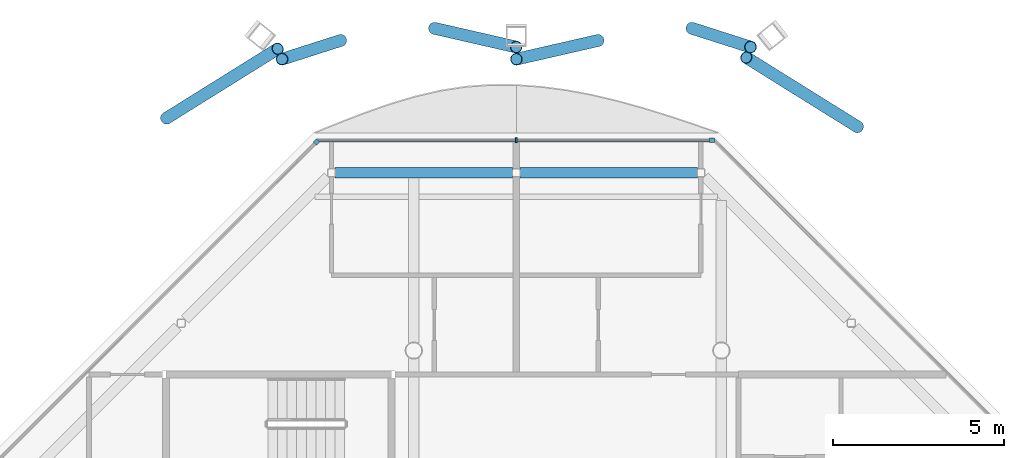
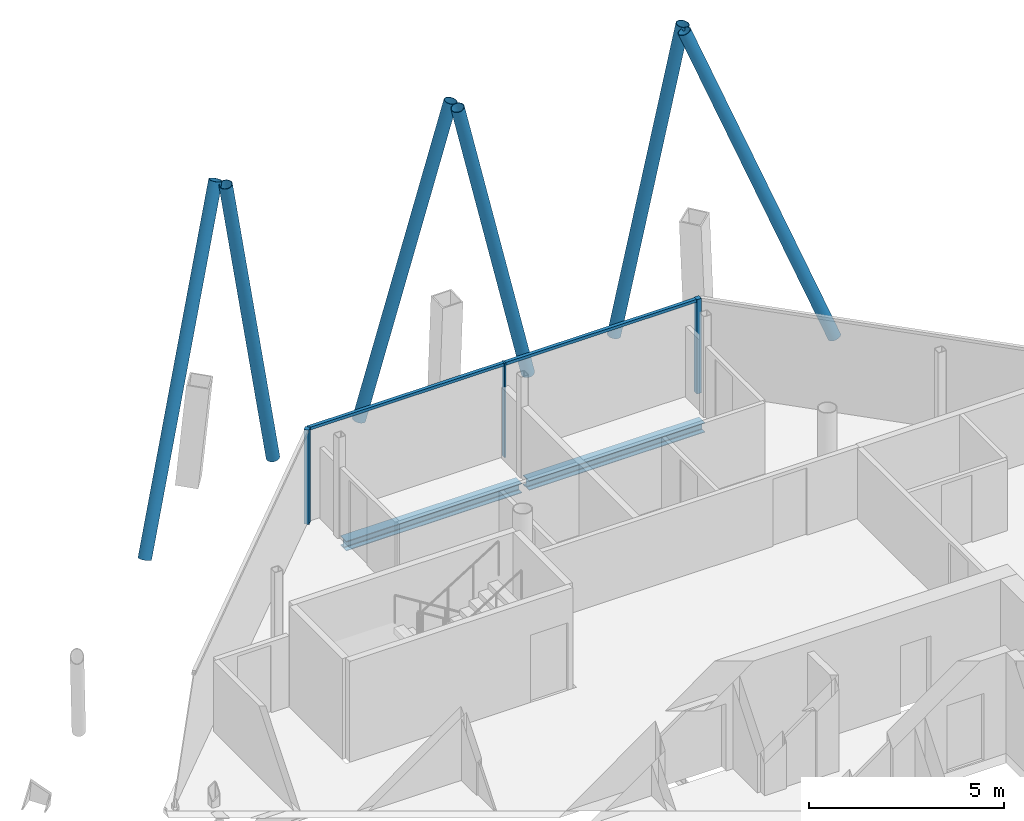
# One storey, part 8 of 14: 11 members, 2 beams, 2 elements without a shape of their own.
"""IFC4 building model written with IfcOpenShell, lengths in metres."""

from ifc_helpers import new_model, si_unit, direction, frame, origin, origin_2d, place, context, subcontext, project, spatial, rectangle, hollow_circle, i_section, extrude, material, material_profile, profile_set, type_object, element, aggregate, save


model = new_model("IFC4")

# Units and contexts
model_context = context("Model", 3, precision=1e-05, world=origin(), true_north=direction((0.0, 1.0)))
body_context = subcontext(model_context, "Body", "Model", "MODEL_VIEW")
ifc_project = project(units=[si_unit("LENGTHUNIT", "METRE"), si_unit("AREAUNIT", "SQUARE_METRE"), si_unit("VOLUMEUNIT", "CUBIC_METRE"), si_unit("PLANEANGLEUNIT", "RADIAN"), si_unit("MASSUNIT", "GRAM", prefix="KILO")], contexts=[model_context])

# Site, building, storey
site_placement = place(None, origin())
site = spatial("IfcSite", under=ifc_project, at=site_placement, CompositionType="ELEMENT")
building_placement = place(site_placement, origin())
building = spatial("IfcBuilding", under=site, at=building_placement, Name="Tskaro Facet Tower", CompositionType="ELEMENT")
storey_placement = place(building_placement, frame((0.0, 0.0, 287.85009765625)))
storey = spatial("IfcBuildingStorey", under=building, at=storey_placement, Name="L77", CompositionType="ELEMENT", Elevation=287.85009765625)

# Members
ifc_material_1 = material(Name="Steel S355J2H", Category="steel")
ifc_material_profile_1 = material_profile(ifc_material_1, hollow_circle(Radius=0.177734375, WallThickness=0.01611328125, at=origin_2d()), Name="CHS 355.6x16")
ifc_profile_set_1 = profile_set([ifc_material_profile_1], Name="Steel S355J2H")
member_type_1 = type_object("IfcMemberType", Name="CHS 355.6x16 brace", PredefinedType="BRACE", material=ifc_profile_set_1)
member_1_placement = place(storey_placement, frame((12.988037109375, 15.543701171875, 0.0), z_axis=(-0.31955632288, 0.199244037446, 0.926383057946), x_axis=(-0.529084601301, -0.848569080669, 0.0)))
element("IfcMember", 1, at=member_1_placement, inside=storey, type_object=member_type_1, Name="CHS 355.6x16 XB06A/6", PredefinedType="BRACE", context=body_context, shape_type="SweptSolid", body=[
    extrude(hollow_circle(Radius=0.177734375, WallThickness=0.01611328125, at=origin_2d()), origin(), (0.0, 0.0, 1.0), 10.200927734375),
])
member_2_placement = place(storey_placement, frame((5.39306640625, 18.072021484375, 0.0), z_axis=(-0.24510005232, -0.056111458621, 0.967872651005), x_axis=(0.223159622379, -0.974781915579, 0.0)))
element("IfcMember", 2, at=member_2_placement, inside=storey, type_object=member_type_1, Name="CHS 355.6x16 XB07A/6", PredefinedType="BRACE", context=body_context, shape_type="SweptSolid", body=[
    extrude(hollow_circle(Radius=0.177734375, WallThickness=0.01611328125, at=origin_2d()), origin(), (0.0, 0.0, 1.0), 9.763671875),
])
for number, where, z_axis, x_axis, name in (
    (3, (8.140380859375, 18.427490234375, 0.0), (0.178137496923, -0.056925830688, 0.982357614105), (0.304396543442, 0.952545402771, 0.0), "CHS 355.6x16 XB07B/6"),
    (4, (-2.140380859375, 18.072021484375, 0.0), (-0.178137239504, -0.056951127717, 0.982356194541), (0.304519670896, -0.952506047245, 0.0), "CHS 355.6x16 XB08A/6"),
):
    element("IfcMember", number, at=place(storey_placement, frame(where, z_axis=z_axis, x_axis=x_axis)), inside=storey, type_object=member_type_1, Name=name, PredefinedType="BRACE", context=body_context, shape_type="SweptSolid", body=[
        extrude(hollow_circle(Radius=0.177734375, WallThickness=0.01611328125, at=origin_2d()), origin(), (0.0, 0.0, 1.0), 9.61962890625),
    ])
member_3_placement = place(storey_placement, frame((0.60693359375, 18.427490234375, 0.0), z_axis=(0.245100396137, -0.056086532191, 0.967874008702), x_axis=(0.223065124481, 0.974803544434, 0.0)))
element("IfcMember", 5, at=member_3_placement, inside=storey, type_object=member_type_1, Name="CHS 355.6x16 XB08B/6", PredefinedType="BRACE", context=body_context, shape_type="SweptSolid", body=[
    extrude(hollow_circle(Radius=0.177734375, WallThickness=0.01611328125, at=origin_2d()), origin(), (0.0, 0.0, 1.0), 9.763671875),
])
member_4_placement = place(storey_placement, frame((-7.239501953125, 15.795166015625, 0.0), z_axis=(0.31955632288, 0.199244037446, 0.926383057946), x_axis=(-0.529084601301, 0.848569080669, 0.0)))
element("IfcMember", 6, at=member_4_placement, inside=storey, type_object=member_type_1, Name="CHS 355.6x16 XB09B/6", PredefinedType="BRACE", context=body_context, shape_type="SweptSolid", body=[
    extrude(hollow_circle(Radius=0.177734375, WallThickness=0.01611328125, at=origin_2d()), origin(), (0.0, 0.0, 1.0), 10.200927734375),
])

# Curtain wall, member
ifc_material_2 = material(Name="Bronze anodised aluminium 6063-T6", Category="aluminium")
curtain_wall_type = type_object("IfcCurtainWallType", Name="Bronze residence curtain wall (FW3)", PredefinedType="NOTDEFINED", material=ifc_material_2)
curtain_wall_1_placement = place(storey_placement, origin())
curtain_wall_1 = element("IfcCurtainWall", 7, at=curtain_wall_1_placement, inside=storey, type_object=curtain_wall_type, Name="FW3 north facet L77", PredefinedType="NOTDEFINED")
ifc_material_profile_2 = material_profile(ifc_material_2, rectangle(XDim=0.139892578125, YDim=0.139892578125, at=origin_2d()), Name="Corner post 140x140")
ifc_profile_set_2 = profile_set([ifc_material_profile_2], Name="Bronze anodised aluminium 6063-T6")
member_type_2 = type_object("IfcMemberType", Name="FW3 bronze corner post 140x140", PredefinedType="MULLION", material=ifc_profile_set_2)
member_5_placement = place(storey_placement, frame((8.72607421875, 15.14990234375, 0.0), z_axis=(0.0, 0.0, 1.0), x_axis=(-1.0, 0.0, 0.0)))
member_5 = element("IfcMember", 8, at=member_5_placement, type_object=member_type_2, Name="FW3 north corner post", PredefinedType="MULLION", context=body_context, shape_type="SweptSolid", body=[
    extrude(rectangle(XDim=0.139892578125, YDim=0.139892578125, at=origin_2d()), origin(), (0.0, 0.0, 1.0), 2.949951171875),
])

curtain_wall_2_placement = place(storey_placement, origin())
curtain_wall_2 = element("IfcCurtainWall", 9, at=curtain_wall_2_placement, inside=storey, type_object=curtain_wall_type, Name="FW3 north-west facet L77", PredefinedType="NOTDEFINED")
member_6_placement = place(storey_placement, frame((-2.845458984375, 15.1005859375, 0.0), z_axis=(0.0, 0.0, 1.0), x_axis=(-0.707106781187, -0.707106781187, 0.0)))
member_6 = element("IfcMember", 10, at=member_6_placement, type_object=member_type_2, Name="FW3 north-west corner post", PredefinedType="MULLION", context=body_context, shape_type="SweptSolid", body=[
    extrude(rectangle(XDim=0.139892578125, YDim=0.139892578125, at=origin_2d()), origin(), (0.0, 0.0, 1.0), 2.949951171875),
])
aggregate(curtain_wall_2, [member_6])

# Member
ifc_material_profile_3 = material_profile(ifc_material_2, rectangle(XDim=0.050048828125, YDim=0.139892578125, at=origin_2d()), Name="Mullion 50x140")
ifc_profile_set_3 = profile_set([ifc_material_profile_3], Name="Bronze anodised aluminium 6063-T6")
member_type_3 = type_object("IfcMemberType", Name="FW3 bronze mullion 50x140", PredefinedType="MULLION", material=ifc_profile_set_3)
member_7_placement = place(storey_placement, frame((3.0, 15.14990234375, 0.0), z_axis=(0.0, 0.0, 1.0), x_axis=(-1.0, 0.0, 0.0)))
member_7 = element("IfcMember", 11, at=member_7_placement, type_object=member_type_3, Name="FW3 north mullion 1", PredefinedType="MULLION", context=body_context, shape_type="SweptSolid", body=[
    extrude(rectangle(XDim=0.050048828125, YDim=0.139892578125, at=origin_2d()), origin(), (0.0, 0.0, 1.0), 2.949951171875),
])

ifc_material_profile_4 = material_profile(ifc_material_2, rectangle(XDim=0.10009765625, YDim=0.090087890625, at=origin_2d()), Name="Transom 100x90")
ifc_profile_set_4 = profile_set([ifc_material_profile_4], Name="Bronze anodised aluminium 6063-T6")
member_type_4 = type_object("IfcMemberType", Name="FW3 bronze transom 100x90", PredefinedType="USERDEFINED", material=ifc_profile_set_4)
member_8_placement = place(storey_placement, frame((8.656005859375, 15.14990234375, 2.90478515625), z_axis=(-1.0, 0.0, 0.0), x_axis=(0.0, -1.0, 0.0)))
member_8 = element("IfcMember", 12, at=member_8_placement, type_object=member_type_4, Name="FW3 north transom 1.1", ObjectType="TRANSOM", PredefinedType="USERDEFINED", context=body_context, shape_type="SweptSolid", body=[
    extrude(rectangle(XDim=0.10009765625, YDim=0.090087890625, at=origin_2d()), origin(), (0.0, 0.0, 1.0), 5.631103515625),
])

member_9_placement = place(storey_placement, frame((2.97509765625, 15.14990234375, 2.90478515625), z_axis=(-1.0, 0.0, 0.0), x_axis=(0.0, -1.0, 0.0)))
member_9 = element("IfcMember", 13, at=member_9_placement, type_object=member_type_4, Name="FW3 north transom 2.1", ObjectType="TRANSOM", PredefinedType="USERDEFINED", context=body_context, shape_type="SweptSolid", body=[
    extrude(rectangle(XDim=0.10009765625, YDim=0.090087890625, at=origin_2d()), origin(), (0.0, 0.0, 1.0), 5.77099609375),
])

aggregate(curtain_wall_1, [member_5, member_7, member_8, member_9])

# Beams
ifc_material_3 = material(Name="Steel S355J2", Category="steel")
ifc_material_profile_5 = material_profile(ifc_material_3, i_section(OverallWidth=0.300048828125, OverallDepth=0.300048828125, WebThickness=0.010986328125, FlangeThickness=0.01904296875, FilletRadius=0.027099609375, at=origin_2d()), Name="HE 300 B")
ifc_profile_set_5 = profile_set([ifc_material_profile_5], Name="Steel S355J2")
beam_type = type_object("IfcBeamType", Name="HE 300 B ring beam", PredefinedType="BEAM", material=ifc_profile_set_5)
for number, where, z_axis, x_axis, name in (
    (14, (8.298095703125, 14.199951171875, -0.2900390625), (-1.0, 0.0, 0.0), (0.0, -1.0, 0.0), "HE 300 B EB9-6"),
    (15, (2.89501953125, 14.199951171875, -0.2900390625), (-1.0, 0.0, 0.0), (0.0, -1.0, 0.0), "HE 300 B EB10-6"),
):
    element("IfcBeam", number, at=place(storey_placement, frame(where, z_axis=z_axis, x_axis=x_axis)), inside=storey, type_object=beam_type, Name=name, PredefinedType="BEAM", context=body_context, shape_type="SweptSolid", body=[
        extrude(i_section(OverallWidth=0.300048828125, OverallDepth=0.300048828125, WebThickness=0.010986328125, FlangeThickness=0.01904296875, FilletRadius=0.027099609375, at=origin_2d()), origin(), (0.0, 0.0, 1.0), 5.193115234375),
    ])

save(model, "model.ifc")
